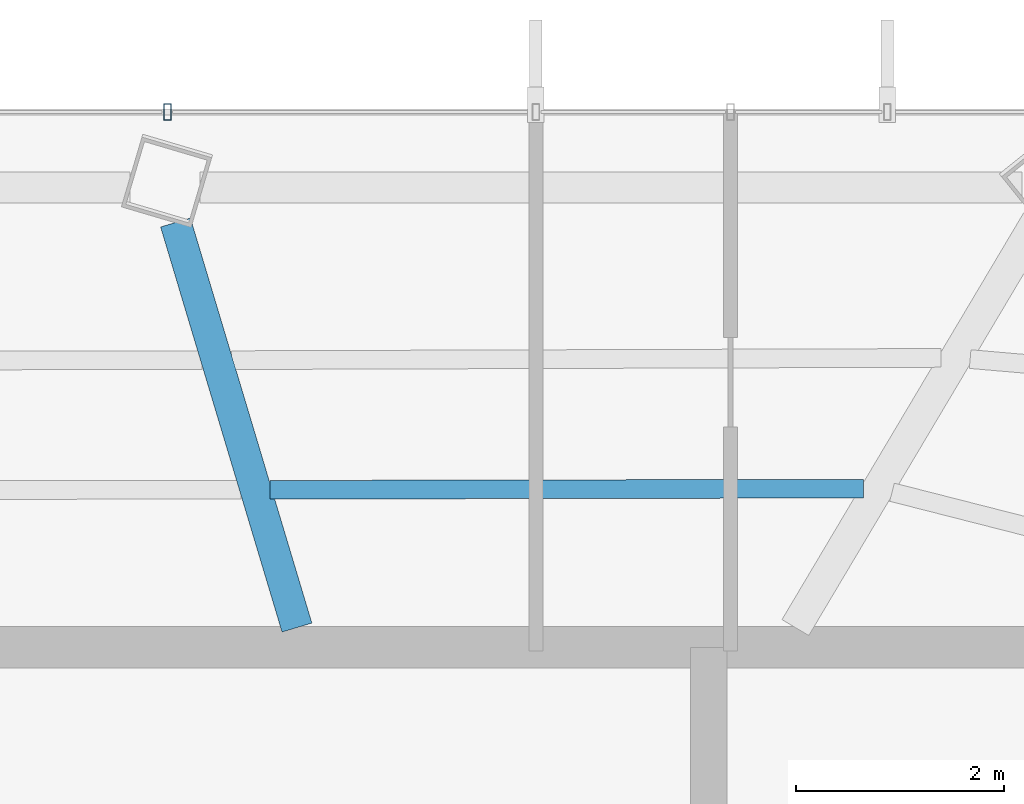
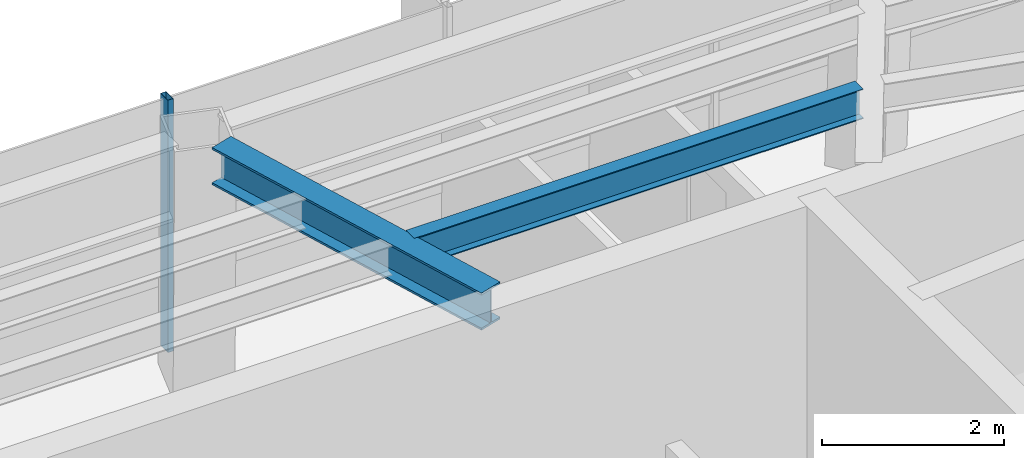
# One storey, part 13 of 28: 2 beams, 1 member, 1 element without a shape of its own.
"""IFC4 building model written with IfcOpenShell, lengths in metres."""

import ifcopenshell
import ifcopenshell.guid

model = None  # the IFC model being written
_history = None  # IfcOwnerHistory: only IFC2X3 demands one
_inside = {}  # id of a spatial element -> (the spatial element, [elements in it])
_under = {}  # id of a project, library or spatial element -> (it, [spatial elements below it])
_declared = {}  # id of a project -> (the project, [libraries it declares])
_typed = {}  # id of a type object -> (the type object, [elements of that type])
_made_of = {}  # id of a material, layer set ... -> (it, [elements and type objects made of it])


def new_model(schema):
    """Start an empty IFC model of exactly this schema.

    Asked for "IFC4X3", IfcOpenShell would pick the latest addendum, in which some entities
    have other attributes; the version numbers below select the first issue.
    IFC2X3 requires an IfcOwnerHistory on every rooted entity: one is made here for all.
    """
    global model, _history
    if schema == "IFC4X3":
        model = ifcopenshell.file(schema_version=(4, 3, 0, 0))
    else:
        model = ifcopenshell.file(schema=schema)
    _inside.clear()
    _under.clear()
    _declared.clear()
    _typed.clear()
    _made_of.clear()
    _history = None
    if model.schema == "IFC2X3":
        org = make("IfcOrganization", Name="unknown")
        user = make(
            "IfcPersonAndOrganization",
            ThePerson=make("IfcPerson", FamilyName="unknown"),
            TheOrganization=org,
        )
        app = make(
            "IfcApplication",
            ApplicationDeveloper=org,
            Version="unknown",
            ApplicationFullName="unknown",
            ApplicationIdentifier="unknown",
        )
        _history = make(
            "IfcOwnerHistory",
            OwningUser=user,
            OwningApplication=app,
            ChangeAction="ADDED",
            CreationDate=0,
        )
    return model


def make(cls, **values):
    """One entity of the class cls with the attributes given. An attribute that is None is left unset."""
    return model.create_entity(
        cls, **{name: value for name, value in values.items() if value is not None}
    )


def rooted(cls, **values):
    """An entity with a GlobalId (a new one), such as an element, a storey or a relation."""
    return make(cls, GlobalId=ifcopenshell.guid.new(), OwnerHistory=_history, **values)


def si_unit(unit_type, name, prefix=None):
    """IfcSIUnit, for example si_unit("LENGTHUNIT", "METRE", prefix="MILLI")."""
    return make("IfcSIUnit", UnitType=unit_type, Prefix=prefix, Name=name)


def assignment(units):
    """IfcUnitAssignment: the units of a project."""
    return None if units is None else make("IfcUnitAssignment", Units=units)


def point(xyz):
    """IfcCartesianPoint."""
    return None if xyz is None else make("IfcCartesianPoint", Coordinates=xyz)


def direction(xyz):
    """IfcDirection."""
    return None if xyz is None else make("IfcDirection", DirectionRatios=xyz)


def frame(location, z_axis=None, x_axis=None):
    """IfcAxis2Placement3D, a coordinate frame: its origin and axes. An axis left out is left unset."""
    return make(
        "IfcAxis2Placement3D",
        Location=point(location),
        Axis=direction(z_axis),
        RefDirection=direction(x_axis),
    )


def frame_2d(location, x_axis=None):
    """IfcAxis2Placement2D, a coordinate frame in the plane: its origin and x axis."""
    return make(
        "IfcAxis2Placement2D", Location=point(location), RefDirection=direction(x_axis)
    )


def origin():
    """The frame at (0, 0, 0) with its axes left unset."""
    return frame((0.0, 0.0, 0.0))


def origin_2d():
    """The frame at (0, 0) in the plane with its x axis left unset."""
    return frame_2d((0.0, 0.0))


def place(relative_to, where):
    """IfcLocalPlacement: puts the frame where relative to a parent placement (None: the world)."""
    return make(
        "IfcLocalPlacement", PlacementRelTo=relative_to, RelativePlacement=where
    )


def context(
    kind, dimensions, precision=None, world=None, true_north=None, identifier=None
):
    """IfcGeometricRepresentationContext, for example the 3D "Model" context."""
    return make(
        "IfcGeometricRepresentationContext",
        ContextIdentifier=identifier,
        ContextType=kind,
        CoordinateSpaceDimension=dimensions,
        Precision=precision,
        WorldCoordinateSystem=world,
        TrueNorth=true_north,
    )


def subcontext(parent, identifier, kind, view, scale=None):
    """IfcGeometricRepresentationSubContext, for example "Body" below "Model"."""
    return make(
        "IfcGeometricRepresentationSubContext",
        ContextIdentifier=identifier,
        ContextType=kind,
        ParentContext=parent,
        TargetScale=scale,
        TargetView=view,
    )


def project(units=None, contexts=None):
    """IfcProject with its units and contexts."""
    return rooted(
        "IfcProject",
        Name="project",
        RepresentationContexts=contexts,
        UnitsInContext=assignment(units),
    )


def spatial(cls, under=None, at=None, **own):
    """A site, building, storey or space (cls), placed at a placement, below another one or the project."""
    s = rooted(cls, ObjectPlacement=at, **own)
    if under is not None:
        _under.setdefault(under.id(), (under, []))[1].append(s)
    return s


def profile(cls, at=None, kind="AREA", **sizes):
    """A parametric profile (cls). Its sizes go by their IFC names, for example OverallWidth=200.0."""
    return make(cls, ProfileType=kind, Position=at, **sizes)


def hollow_rectangle(**sizes):
    """IfcRectangleHollowProfileDef."""
    return profile("IfcRectangleHollowProfileDef", **sizes)


def i_section(**sizes):
    """IfcIShapeProfileDef."""
    return profile("IfcIShapeProfileDef", **sizes)


def extrude(swept, where, along, depth):
    """IfcExtrudedAreaSolid: the profile swept, set in the frame where, extruded along a direction by depth."""
    return make(
        "IfcExtrudedAreaSolid",
        SweptArea=swept,
        Position=where,
        ExtrudedDirection=direction(along),
        Depth=depth,
    )


def shape(context_of_items, identifier, shape_type, items):
    """IfcShapeRepresentation: the items that make up one representation, for example the "Body"."""
    return make(
        "IfcShapeRepresentation",
        ContextOfItems=context_of_items,
        RepresentationIdentifier=identifier,
        RepresentationType=shape_type,
        Items=items,
    )


def material(Name=None, Category=None):
    """IfcMaterial."""
    return make("IfcMaterial", Name=Name, Category=Category)


def layer(
    of_material, thickness, ventilated=None, Name=None, Category=None, Priority=None
):
    """IfcMaterialLayer: one layer of a wall or slab, of a material (None: an air gap)."""
    return make(
        "IfcMaterialLayer",
        Material=of_material,
        LayerThickness=thickness,
        IsVentilated=ventilated,
        Name=Name,
        Category=Category,
        Priority=Priority,
    )


def layer_set(layers, Name=None):
    """IfcMaterialLayerSet."""
    return make("IfcMaterialLayerSet", MaterialLayers=layers, LayerSetName=Name)


def material_profile(
    of_material, cross_section, Name=None, Category=None, Priority=None
):
    """IfcMaterialProfile: a cross section and its material."""
    return make(
        "IfcMaterialProfile",
        Name=Name,
        Material=of_material,
        Profile=cross_section,
        Priority=Priority,
        Category=Category,
    )


def profile_set(profiles, Name=None, composite=None):
    """IfcMaterialProfileSet."""
    return make(
        "IfcMaterialProfileSet",
        Name=Name,
        MaterialProfiles=profiles,
        CompositeProfile=composite,
    )


def made_of(thing, what):
    """Note that an element or type object is made of a material, layer set ...; save() writes the relation."""
    if what is not None:
        _made_of.setdefault(what.id(), (what, []))[1].append(thing)
    return thing


def type_object(cls, material=None, **own):
    """A type object (cls), such as IfcWallType, which elements share."""
    return made_of(rooted(cls, **own), material)


def element(
    cls,
    number,
    at=None,
    inside=None,
    cuts=None,
    type_object=None,
    material=None,
    context=None,
    identifier="Body",
    shape_type=None,
    held_by="IfcProductDefinitionShape",
    body=None,
    shapes=None,
    **own,
):
    """One element of the class cls, such as IfcWall. Its Tag is "e" and its number.

    at: its placement. inside: the storey or other place that contains it. cuts: it is an
    opening in that element (IfcRelVoidsElement). A single representation is given by context,
    identifier, shape_type and body (its items); several are given by shapes. held_by: the class
    of the entity that holds the representations. save() writes the other relations.
    """
    e = rooted(cls, Tag="e%d" % number, ObjectPlacement=at, **own)
    if body is not None:
        shapes = [shape(context, identifier, shape_type, body)]
    if shapes is not None:
        e.Representation = make(held_by, Representations=shapes)
    if inside is not None:
        _inside.setdefault(inside.id(), (inside, []))[1].append(e)
    if cuts is not None:
        rooted(
            "IfcRelVoidsElement", RelatingBuildingElement=cuts, RelatedOpeningElement=e
        )
    if type_object is not None:
        _typed.setdefault(type_object.id(), (type_object, []))[1].append(e)
    return made_of(e, material)


def aggregate(whole, parts):
    """IfcRelAggregates: a whole, such as a stair, and the parts it consists of."""
    return rooted("IfcRelAggregates", RelatingObject=whole, RelatedObjects=parts)


def save(model, path):
    """Write the relations noted so far, then the file.

    IfcRelAggregates (storeys below a building ...), IfcRelContainedInSpatialStructure (elements
    in a storey), IfcRelDefinesByType, IfcRelAssociatesMaterial and IfcRelDeclares: one each for
    every whole, place, type object, material and project.
    """
    for whole, parts in _under.values():
        aggregate(whole, parts)
    for where, things in _inside.values():
        rooted(
            "IfcRelContainedInSpatialStructure",
            RelatedElements=things,
            RelatingStructure=where,
        )
    for kind, things in _typed.values():
        rooted("IfcRelDefinesByType", RelatedObjects=things, RelatingType=kind)
    for what, things in _made_of.values():
        rooted("IfcRelAssociatesMaterial", RelatedObjects=things, RelatingMaterial=what)
    for by, libraries in _declared.values():
        rooted("IfcRelDeclares", RelatingContext=by, RelatedDefinitions=libraries)
    model.write(path)


model = new_model("IFC4")

# Units and contexts
model_context = context("Model", 3, precision=1e-05, world=origin(), true_north=direction((0.0, 1.0)))
body_context = subcontext(model_context, "Body", "Model", "MODEL_VIEW")
ifc_project = project(units=[si_unit("LENGTHUNIT", "METRE"), si_unit("AREAUNIT", "SQUARE_METRE"), si_unit("VOLUMEUNIT", "CUBIC_METRE"), si_unit("PLANEANGLEUNIT", "RADIAN"), si_unit("MASSUNIT", "GRAM", prefix="KILO")], contexts=[model_context])

# Site, building, storey
site_placement = place(None, origin())
site = spatial("IfcSite", under=ifc_project, at=site_placement, CompositionType="ELEMENT")
building_placement = place(site_placement, origin())
building = spatial("IfcBuilding", under=site, at=building_placement, Name="Zarrinselat Tower", CompositionType="ELEMENT")
storey_placement = place(building_placement, frame((0.0, 0.0, 190.739990234375)))
storey = spatial("IfcBuildingStorey", under=building, at=storey_placement, Name="L47", CompositionType="ELEMENT", Elevation=190.739990234375)

# Beams
ifc_material_1 = material(Name="Steel S355J2", Category="steel")
ifc_material_profile_1 = material_profile(ifc_material_1, i_section(OverallWidth=0.300048828125, OverallDepth=0.5, WebThickness=0.014404296875, FlangeThickness=0.028076171875, at=origin_2d()), Name="HEB 500")
ifc_profile_set_1 = profile_set([ifc_material_profile_1], Name="Steel S355J2")
beam_type_1 = type_object("IfcBeamType", Name="BM-HEB500", PredefinedType="BEAM", material=ifc_profile_set_1)
beam_1_placement = place(storey_placement, frame((39.830322265625, 47.540771484375, 3.139892578125), z_axis=(0.287215884936, -0.957865875496, 0.0), x_axis=(0.957865875496, 0.287215884936, 0.0)))
element("IfcBeam", 1, at=beam_1_placement, inside=storey, type_object=beam_type_1, Name="L47 Radial Primary Girder RG03", PredefinedType="BEAM", context=body_context, shape_type="SweptSolid", body=[
    extrude(i_section(OverallWidth=0.300048828125, OverallDepth=0.5, WebThickness=0.014404296875, FlangeThickness=0.028076171875, at=origin_2d()), origin(), (0.0, 0.0, 1.0), 4.072509765625),
])
ifc_material_2 = material(Name="Steel S355J2", Category="steel")
ifc_material_profile_2 = material_profile(ifc_material_2, i_section(OverallWidth=0.179931640625, OverallDepth=0.39990234375, WebThickness=0.008544921875, FlangeThickness=0.013427734375, at=origin_2d()), Name="IPE 400")
ifc_profile_set_2 = profile_set([ifc_material_profile_2], Name="Steel S355J2")
beam_type_2 = type_object("IfcBeamType", Name="BM-IPE400", PredefinedType="JOIST", material=ifc_profile_set_2)
beam_2_placement = place(storey_placement, frame((40.7421875, 44.966552734375, 3.18994140625), z_axis=(0.999998067797, 0.001965808167, 0.0), x_axis=(-0.001965808167, 0.999998067797, 0.0)))
element("IfcBeam", 2, at=beam_2_placement, inside=storey, type_object=beam_type_2, Name="L47 Composite Floor Joist 7-2", PredefinedType="JOIST", context=body_context, shape_type="SweptSolid", body=[
    extrude(i_section(OverallWidth=0.179931640625, OverallDepth=0.39990234375, WebThickness=0.008544921875, FlangeThickness=0.013427734375, at=origin_2d()), origin(), (0.0, 0.0, 1.0), 5.712890625),
])

# Curtain wall, member
ifc_material_3 = material(Name="Extruded Aluminium Alloy EN AW-6063 T6", Category="aluminium")
ifc_layer = layer(ifc_material_3, 0.175048828125)
ifc_layer_set = layer_set([ifc_layer], Name="Extruded Aluminium Alloy EN AW-6063 T6")
curtain_wall_type = type_object("IfcCurtainWallType", Name="CWS-HTL", PredefinedType="NOTDEFINED", material=ifc_layer_set)
curtain_wall_placement = place(storey_placement, origin())
curtain_wall = element("IfcCurtainWall", 3, at=curtain_wall_placement, inside=storey, type_object=curtain_wall_type, Name="L47 Unitised Curtain Wall CW-L47-E01", PredefinedType="NOTDEFINED")
ifc_material_4 = material(Name="Extruded Aluminium Alloy EN AW-6063 T6", Category="aluminium")
ifc_material_profile_3 = material_profile(ifc_material_4, hollow_rectangle(XDim=0.070068359375, YDim=0.159912109375, WallThickness=0.00390625, at=origin_2d()), Name="RHS 160x70x4")
ifc_profile_set_3 = profile_set([ifc_material_profile_3], Name="Extruded Aluminium Alloy EN AW-6063 T6")
member_type = type_object("IfcMemberType", Name="MEM-CW-MUL2", PredefinedType="MULLION", material=ifc_profile_set_3)
member_placement = place(storey_placement, frame((39.752197265625, 48.605712890625, 0.0), z_axis=(0.0, 0.0, 1.0), x_axis=(-1.0, 0.0, 0.0)))
member = element("IfcMember", 4, at=member_placement, type_object=member_type, Name="CW-L47-E01 Mullion 6", PredefinedType="MULLION", context=body_context, shape_type="SweptSolid", body=[
    extrude(hollow_rectangle(XDim=0.070068359375, YDim=0.159912109375, WallThickness=0.00390625, at=origin_2d()), origin(), (0.0, 0.0, 1.0), 3.389892578125),
])
aggregate(curtain_wall, [member])

save(model, "model.ifc")
